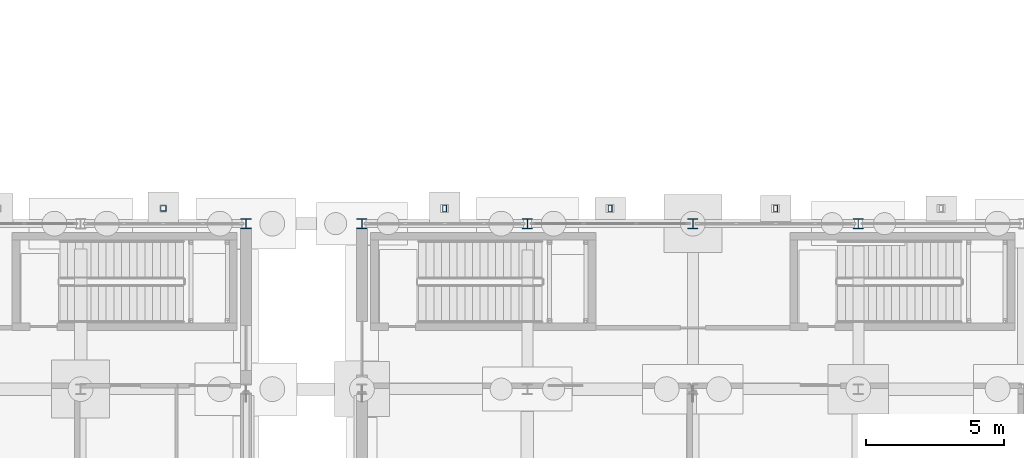
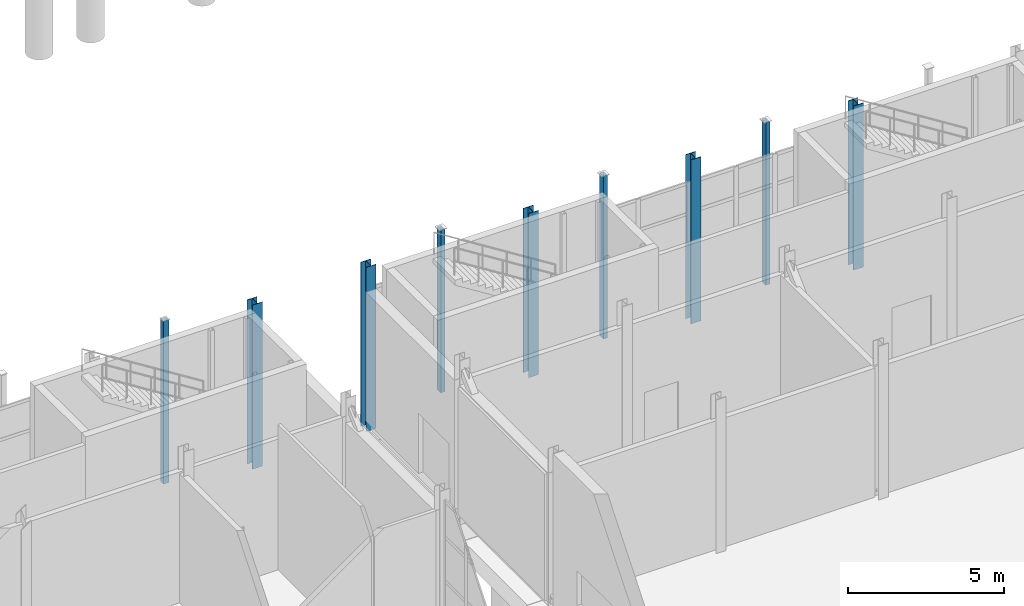
# One storey, part 14 of 120: 9 columns.
"""IFC4 building model written with IfcOpenShell, lengths in metres."""

from ifc_helpers import new_model, si_unit, direction, frame, origin, origin_2d, place, context, subcontext, project, spatial, hollow_rectangle, i_section, extrude, material, material_profile, profile_set, type_object, element, save


model = new_model("IFC4")

# Units and contexts
model_context = context("Model", 3, precision=1e-05, world=origin(), true_north=direction((0.0, 1.0)))
body_context = subcontext(model_context, "Body", "Model", "MODEL_VIEW")
ifc_project = project(units=[si_unit("LENGTHUNIT", "METRE"), si_unit("AREAUNIT", "SQUARE_METRE"), si_unit("VOLUMEUNIT", "CUBIC_METRE"), si_unit("PLANEANGLEUNIT", "RADIAN"), si_unit("MASSUNIT", "GRAM", prefix="KILO")], contexts=[model_context])

# Site, building, storey
site_placement = place(None, origin())
site = spatial("IfcSite", under=ifc_project, at=site_placement, CompositionType="ELEMENT")
building_placement = place(site_placement, origin())
building = spatial("IfcBuilding", under=site, at=building_placement, Name="Siltcreek Boulevard Central Fire Station", CompositionType="ELEMENT")
storey_placement = place(building_placement, origin())
storey = spatial("IfcBuildingStorey", under=building, at=storey_placement, Name="L01", CompositionType="ELEMENT", Elevation=0.0)

# Columns
ifc_material_1 = material(Name="Structural steel ASTM A992 Gr50", Category="steel")
ifc_material_profile_1 = material_profile(ifc_material_1, i_section(OverallWidth=0.368896484375, OverallDepth=0.35595703125, WebThickness=0.01123046875, FlangeThickness=0.01806640625, at=origin_2d()), Name="W360X134")
ifc_profile_set_1 = profile_set([ifc_material_profile_1], Name="Structural steel ASTM A992 Gr50")
column_type_1 = type_object("IfcColumnType", Name="COL_W360X134", PredefinedType="COLUMN", material=ifc_profile_set_1)
for number, where, z_axis, x_axis, name in (
    (1, (42.0, 54.0, -0.409912109375), (0.0, 0.0, 1.0), (1.0, 0.0, 0.0), "L01 structural column COLG-L01-420-540"),
    (2, (48.0, 54.0, -0.409912109375), (0.0, 0.0, 1.0), (1.0, 0.0, 0.0), "L01 structural column COLG-L01-480-540"),
    (3, (54.0, 54.0, -0.409912109375), (0.0, 0.0, 1.0), (1.0, 0.0, 0.0), "L01 structural column COLG-L01-540-540"),
    (4, (60.0, 54.0, -0.409912109375), (0.0, 0.0, 1.0), (1.0, 0.0, 0.0), "L01 structural column COLG-L01-600-540"),
    (5, (37.800048828125, 54.0, -0.409912109375), (0.0, 0.0, 1.0), (1.0, 0.0, 0.0), "L01 structural column COLG-L01-378-540"),
):
    element("IfcColumn", number, at=place(storey_placement, frame(where, z_axis=z_axis, x_axis=x_axis)), inside=storey, type_object=column_type_1, Name=name, PredefinedType="COLUMN", context=body_context, shape_type="SweptSolid", body=[
        extrude(i_section(OverallWidth=0.368896484375, OverallDepth=0.35595703125, WebThickness=0.01123046875, FlangeThickness=0.01806640625, at=origin_2d()), origin(), (0.0, 0.0, 1.0), 6.409912109375),
    ])
ifc_material_2 = material(Name="Structural steel ASTM A500 GrC", Category="steel")
ifc_material_profile_2 = material_profile(ifc_material_2, hollow_rectangle(XDim=0.199951171875, YDim=0.199951171875, WallThickness=0.009521484375, at=origin_2d()), Name="HSS200X200X9.5")
ifc_profile_set_2 = profile_set([ifc_material_profile_2], Name="Structural steel ASTM A500 GrC")
column_type_2 = type_object("IfcColumnType", Name="PIL_HSS200X200", PredefinedType="PILASTER", material=ifc_profile_set_2)
column_placement = place(storey_placement, frame((34.800048828125, 54.550048828125, -0.35009765625), z_axis=(0.0, 0.0, 1.0), x_axis=(1.0, 0.0, 0.0)))
element("IfcColumn", 6, at=column_placement, inside=storey, type_object=column_type_2, Name="Terracotta pier pilaster column PL-15", PredefinedType="PILASTER", context=body_context, shape_type="SweptSolid", body=[
    extrude(hollow_rectangle(XDim=0.199951171875, YDim=0.199951171875, WallThickness=0.009521484375, at=origin_2d()), origin(), (0.0, 0.0, 1.0), 6.35009765625),
])
ifc_material_profile_3 = material_profile(ifc_material_2, hollow_rectangle(XDim=0.14990234375, YDim=0.25, WallThickness=0.008056640625, at=origin_2d()), Name="HSS250X150X8.0")
ifc_profile_set_3 = profile_set([ifc_material_profile_3], Name="Structural steel ASTM A500 GrC")
column_type_3 = type_object("IfcColumnType", Name="PIL_HSS250X150", PredefinedType="PILASTER", material=ifc_profile_set_3)
for number, where, z_axis, x_axis, name in (
    (7, (45.0, 54.550048828125, -0.35009765625), (0.0, 0.0, 1.0), (1.0, 0.0, 0.0), "Terracotta pier pilaster column PL-03"),
    (8, (51.0, 54.550048828125, -0.35009765625), (0.0, 0.0, 1.0), (1.0, 0.0, 0.0), "Terracotta pier pilaster column PL-04"),
    (9, (57.0, 54.550048828125, -0.35009765625), (0.0, 0.0, 1.0), (1.0, 0.0, 0.0), "Terracotta pier pilaster column PL-05"),
):
    element("IfcColumn", number, at=place(storey_placement, frame(where, z_axis=z_axis, x_axis=x_axis)), inside=storey, type_object=column_type_3, Name=name, PredefinedType="PILASTER", context=body_context, shape_type="SweptSolid", body=[
        extrude(hollow_rectangle(XDim=0.14990234375, YDim=0.25, WallThickness=0.008056640625, at=origin_2d()), origin(), (0.0, 0.0, 1.0), 6.35009765625),
    ])

save(model, "model.ifc")
